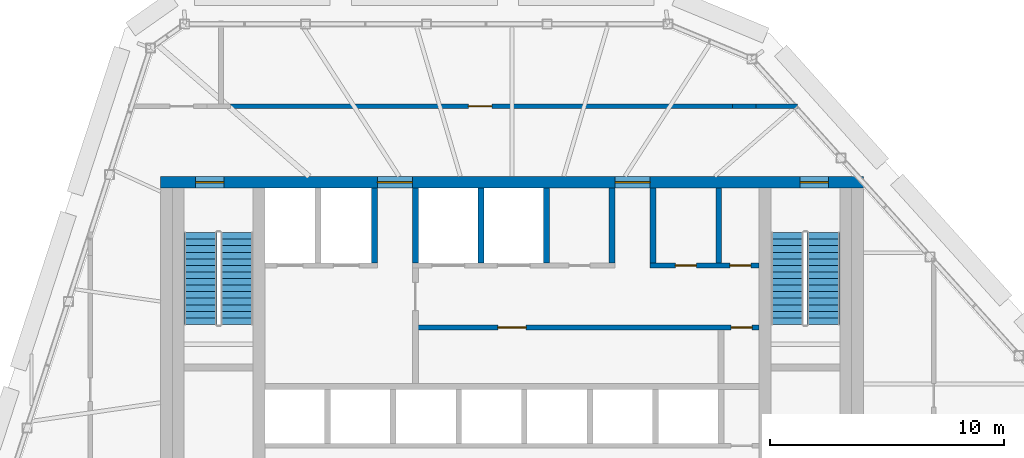
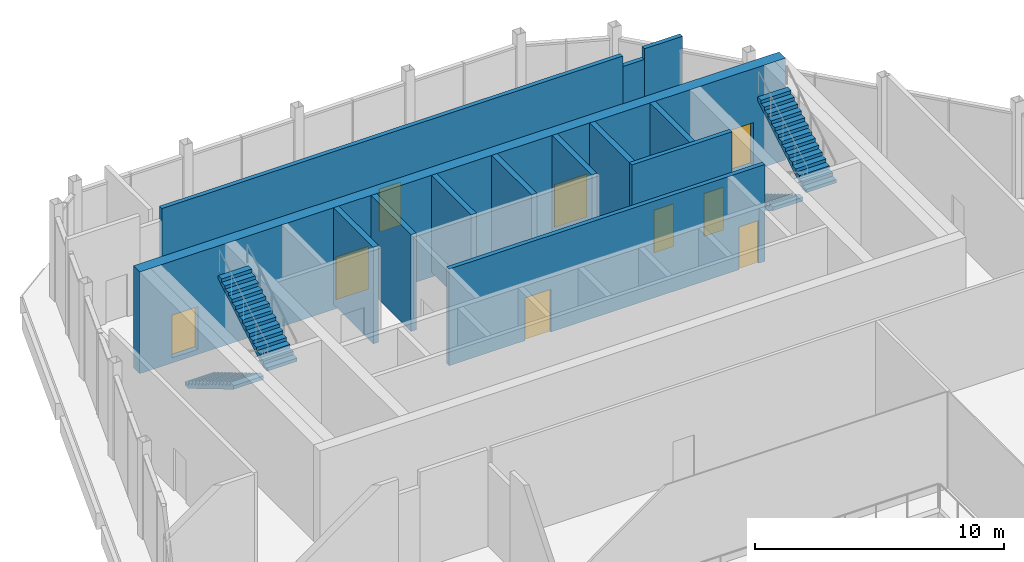
# One storey, part 10 of 12: 13 walls, 9 doors, 4 stair flights, 9 openings, 2 elements without a shape of their own.
"""IFC4 building model written with IfcOpenShell, lengths in metres."""

from ifc_helpers import new_model, si_unit, direction, frame, frame_2d, origin, place, context, subcontext, project, spatial, polyline, rectangle, outline, extrude, material, layer, layer_set, type_object, element, fill, aggregate, save


model = new_model("IFC4")

# Units and contexts
model_context = context("Model", 3, precision=1e-05, world=origin(), true_north=direction((0.0, 1.0)))
body_context = subcontext(model_context, "Body", "Model", "MODEL_VIEW")
ifc_project = project(units=[si_unit("LENGTHUNIT", "METRE"), si_unit("AREAUNIT", "SQUARE_METRE"), si_unit("VOLUMEUNIT", "CUBIC_METRE"), si_unit("PLANEANGLEUNIT", "RADIAN"), si_unit("MASSUNIT", "GRAM", prefix="KILO")], contexts=[model_context])

# Site, building, storey
site_placement = place(None, origin())
site = spatial("IfcSite", under=ifc_project, at=site_placement, CompositionType="ELEMENT")
building_placement = place(site_placement, origin())
building = spatial("IfcBuilding", under=site, at=building_placement, Name="Isthmus Gate Tower", CompositionType="ELEMENT")
storey_placement = place(building_placement, frame((0.0, 0.0, 301.10009765625)))
storey = spatial("IfcBuildingStorey", under=building, at=storey_placement, Name="C1", CompositionType="ELEMENT", Elevation=301.10009765625)

# Wall, opening, door
ifc_material_1 = material(Name="Concrete f'c 30 MPa", Category="concrete")
ifc_layer_1 = layer(ifc_material_1, 0.199951171875)
ifc_layer_set_1 = layer_set([ifc_layer_1], Name="Fire-rated block wall 200")
wall_type_1 = type_object("IfcWallType", Name="Fire-rated block wall 200", PredefinedType="PARTITIONING", material=ifc_layer_set_1)
wall_1_placement = place(storey_placement, frame((-12.013427734375, 18.0, 0.0), z_axis=(0.0, 0.0, 1.0), x_axis=(1.0, 0.0, 0.0)))
wall_1 = element("IfcWall", 1, at=wall_1_placement, inside=storey, type_object=wall_type_1, Name="Fire-rated wall", PredefinedType="PARTITIONING", context=body_context, shape_type="SweptSolid", body=[
    extrude(rectangle(XDim=21.419677734375, YDim=0.199951171875, at=frame_2d((10.7099609375, 0.0))), origin(), (0.0, 0.0, 1.0), 4.75),
])
opening_1_placement = place(wall_1_placement, frame((10.14990234375, 0.0, 0.0)))
opening_1 = element("IfcOpeningElement", 2, at=opening_1_placement, cuts=wall_1, Name="Opening DP77-02", PredefinedType="OPENING", context=body_context, shape_type="SweptSolid", body=[
    extrude(rectangle(XDim=1.0, YDim=2.10009765625, at=frame_2d((0.5, 1.050048828125))), frame((0.0, 0.10986328125, 0.0), z_axis=(0.0, -1.0, 0.0), x_axis=(1.0, 0.0, 0.0)), (0.0, 0.0, 1.0), 0.219970703125),
])
ifc_material_2 = material(Name="Steel fire door with intumescent seals", Category="steel")
door_type_1 = type_object("IfcDoorType", Name="Fire door 1000 x 2100", OperationType="SINGLE_SWING_LEFT", PredefinedType="DOOR", material=ifc_material_2)
door_1_placement = place(opening_1_placement, origin())
door_1 = element("IfcDoor", 3, at=door_1_placement, inside=storey, type_object=door_type_1, Name="Door DP77-02", OperationType="SINGLE_SWING_LEFT", OverallHeight=2.10009765625, OverallWidth=1.0, PredefinedType="DOOR", context=body_context, shape_type="SweptSolid", body=[
    extrude(rectangle(XDim=1.0, YDim=2.10009765625, at=frame_2d((0.5, 1.050048828125))), frame((0.0, 0.02490234375, 0.0), z_axis=(0.0, -1.0, 0.0), x_axis=(1.0, 0.0, 0.0)), (0.0, 0.0, 1.0), 0.050048828125),
])
fill(opening_1, door_1)

# Walls
wall_2_placement = place(storey_placement, frame((9.40625, 18.0, 0.0), z_axis=(0.0, 0.0, 1.0), x_axis=(1.0, 0.0, 0.0)))
element("IfcWall", 4, at=wall_2_placement, inside=storey, type_object=wall_type_1, Name="Fire-rated wall", PredefinedType="PARTITIONING", context=body_context, shape_type="SweptSolid", body=[
    extrude(rectangle(XDim=1.0, YDim=0.199951171875, at=frame_2d((0.5, 0.0))), origin(), (0.0, 0.0, 1.0), 4.22607421875),
])
wall_3_placement = place(storey_placement, frame((10.40625, 18.0, 0.0), z_axis=(0.0, 0.0, 1.0), x_axis=(1.0, 0.0, 0.0)))
element("IfcWall", 5, at=wall_3_placement, inside=storey, type_object=wall_type_1, Name="Fire-rated wall", PredefinedType="PARTITIONING", context=body_context, shape_type="SweptSolid", body=[
    extrude(rectangle(XDim=1.770751953125, YDim=0.199951171875, at=frame_2d((0.88525390625, 0.0))), origin(), (0.0, 0.0, 1.0), 4.75),
])

# Wall, openings, doors
ifc_material_3 = material(Name="Concrete f'c 50 MPa", Category="concrete")
ifc_layer_2 = layer(ifc_material_3, 0.5)
ifc_layer_set_2 = layer_set([ifc_layer_2], Name="RC CORE WALL 500 F'C 50")
wall_type_2 = type_object("IfcWallType", Name="RC CORE WALL 500 F'C 50", PredefinedType="SOLIDWALL", material=ifc_layer_set_2)
wall_4_placement = place(storey_placement, frame((-15.0, 14.75, -0.25), z_axis=(0.0, 0.0, 1.0), x_axis=(1.0, 0.0, 0.0)))
wall_4 = element("IfcWall", 6, at=wall_4_placement, inside=storey, type_object=wall_type_2, Name="str-corewall-C1-N", PredefinedType="SOLIDWALL", context=body_context, shape_type="SweptSolid", body=[
    extrude(rectangle(XDim=30.0, YDim=0.5, at=frame_2d((15.0, 0.0))), origin(), (0.0, 0.0, 1.0), 5.0),
])
opening_2_placement = place(wall_4_placement, frame((9.25, 0.0, 0.25)))
opening_2 = element("IfcOpeningElement", 7, at=opening_2_placement, cuts=wall_4, Name="Opening DC-A22-08", PredefinedType="OPENING", context=body_context, shape_type="SweptSolid", body=[
    extrude(rectangle(XDim=1.5, YDim=2.10009765625, at=frame_2d((0.75, 1.050048828125))), frame((0.0, 0.260009765625, 0.0), z_axis=(0.0, -1.0, 0.0), x_axis=(1.0, 0.0, 0.0)), (0.0, 0.0, 1.0), 0.52001953125),
])
opening_3_placement = place(wall_4_placement, frame((19.39990234375, 0.0, 0.25)))
opening_3 = element("IfcOpeningElement", 8, at=opening_3_placement, cuts=wall_4, Name="Opening DC-A22-09", PredefinedType="OPENING", context=body_context, shape_type="SweptSolid", body=[
    extrude(rectangle(XDim=1.5, YDim=2.10009765625, at=frame_2d((0.75, 1.050048828125))), frame((0.0, 0.260009765625, 0.0), z_axis=(0.0, -1.0, 0.0), x_axis=(1.0, 0.0, 0.0)), (0.0, 0.0, 1.0), 0.52001953125),
])
opening_4_placement = place(wall_4_placement, frame((1.5, 0.0, 0.25)))
opening_4 = element("IfcOpeningElement", 9, at=opening_4_placement, cuts=wall_4, Name="Opening DC-A22-10", PredefinedType="OPENING", context=body_context, shape_type="SweptSolid", body=[
    extrude(rectangle(XDim=1.199951171875, YDim=2.10009765625, at=frame_2d((0.60009765625, 1.050048828125))), frame((0.0, 0.260009765625, 0.0), z_axis=(0.0, -1.0, 0.0), x_axis=(1.0, 0.0, 0.0)), (0.0, 0.0, 1.0), 0.52001953125),
])
opening_5_placement = place(wall_4_placement, frame((27.300048828125, 0.0, 0.25)))
opening_5 = element("IfcOpeningElement", 10, at=opening_5_placement, cuts=wall_4, Name="Opening DC-A22-11", PredefinedType="OPENING", context=body_context, shape_type="SweptSolid", body=[
    extrude(rectangle(XDim=1.199951171875, YDim=2.10009765625, at=frame_2d((0.60009765625, 1.050048828125))), frame((0.0, 0.260009765625, 0.0), z_axis=(0.0, -1.0, 0.0), x_axis=(1.0, 0.0, 0.0)), (0.0, 0.0, 1.0), 0.52001953125),
])
ifc_material_4 = material(Name="Steel door leaf, fire-rated", Category="steel")
door_type_2 = type_object("IfcDoorType", Name="LOBBY FIRE DOOR 1500 X 2100 60 MIN", OperationType="DOUBLE_DOOR_SINGLE_SWING", PredefinedType="DOOR", material=ifc_material_4)
door_2_placement = place(opening_3_placement, origin())
door_2 = element("IfcDoor", 11, at=door_2_placement, inside=storey, type_object=door_type_2, Name="Lobby Door PN-E", OperationType="DOUBLE_DOOR_SINGLE_SWING", OverallHeight=2.10009765625, OverallWidth=1.5, PredefinedType="DOOR", context=body_context, shape_type="SweptSolid", body=[
    extrude(rectangle(XDim=1.5, YDim=2.10009765625, at=frame_2d((0.75, 1.050048828125))), frame((0.0, 0.02490234375, 0.0), z_axis=(0.0, -1.0, 0.0), x_axis=(1.0, 0.0, 0.0)), (0.0, 0.0, 1.0), 0.050048828125),
])
fill(opening_3, door_2)
ifc_material_5 = material(Name="Steel door leaf, fire-rated", Category="steel")
door_type_3 = type_object("IfcDoorType", Name="LOBBY FIRE DOOR 1500 X 2100 90 MIN", OperationType="DOUBLE_DOOR_SINGLE_SWING", PredefinedType="DOOR", material=ifc_material_5)
door_3_placement = place(opening_2_placement, origin())
door_3 = element("IfcDoor", 12, at=door_3_placement, inside=storey, type_object=door_type_3, Name="Lobby Door PN-W", OperationType="DOUBLE_DOOR_SINGLE_SWING", OverallHeight=2.10009765625, OverallWidth=1.5, PredefinedType="DOOR", context=body_context, shape_type="SweptSolid", body=[
    extrude(rectangle(XDim=1.5, YDim=2.10009765625, at=frame_2d((0.75, 1.050048828125))), frame((0.0, 0.02490234375, 0.0), z_axis=(0.0, -1.0, 0.0), x_axis=(1.0, 0.0, 0.0)), (0.0, 0.0, 1.0), 0.050048828125),
])
fill(opening_2, door_3)
ifc_material_6 = material(Name="Steel door leaf, fire-rated", Category="steel")
door_type_4 = type_object("IfcDoorType", Name="STAIR FIRE DOOR 1200 X 2100 90 MIN", OperationType="SINGLE_SWING_LEFT", PredefinedType="DOOR", material=ifc_material_6)
door_4_placement = place(opening_4_placement, origin())
door_4 = element("IfcDoor", 13, at=door_4_placement, inside=storey, type_object=door_type_4, Name="Exit Stair 1 Door", OperationType="SINGLE_SWING_RIGHT", OverallHeight=2.10009765625, OverallWidth=1.199951171875, PredefinedType="DOOR", context=body_context, shape_type="SweptSolid", body=[
    extrude(rectangle(XDim=1.199951171875, YDim=2.10009765625, at=frame_2d((0.60009765625, 1.050048828125))), frame((0.0, 0.02490234375, 0.0), z_axis=(0.0, -1.0, 0.0), x_axis=(1.0, 0.0, 0.0)), (0.0, 0.0, 1.0), 0.050048828125),
])
fill(opening_4, door_4)
door_5_placement = place(opening_5_placement, origin())
door_5 = element("IfcDoor", 14, at=door_5_placement, inside=storey, type_object=door_type_4, Name="Exit Stair 2 Door", OperationType="SINGLE_SWING_LEFT", OverallHeight=2.10009765625, OverallWidth=1.199951171875, PredefinedType="DOOR", context=body_context, shape_type="SweptSolid", body=[
    extrude(rectangle(XDim=1.199951171875, YDim=2.10009765625, at=frame_2d((0.60009765625, 1.050048828125))), frame((0.0, 0.02490234375, 0.0), z_axis=(0.0, -1.0, 0.0), x_axis=(1.0, 0.0, 0.0)), (0.0, 0.0, 1.0), 0.050048828125),
])
fill(opening_5, door_5)

ifc_material_7 = material(Name="Fire-rated blockwork masonry, 15 MPa", Category="masonry")
ifc_layer_3 = layer(ifc_material_7, 0.199951171875)
ifc_layer_set_3 = layer_set([ifc_layer_3], Name="SHAFT FRONT WALL 200 120 MIN")
wall_type_3 = type_object("IfcWallType", Name="SHAFT FRONT WALL 200 120 MIN", PredefinedType="PARTITIONING", material=ifc_layer_set_3)
wall_5_placement = place(storey_placement, frame((-4.125, 8.550048828125, 0.0), z_axis=(0.0, 0.0, 1.0), x_axis=(1.0, 0.0, 0.0)))
wall_5 = element("IfcWall", 15, at=wall_5_placement, inside=storey, type_object=wall_type_3, Name="C1 SHAFT FRONT WALL 200 120 MIN", PredefinedType="PARTITIONING", context=body_context, shape_type="SweptSolid", body=[
    extrude(rectangle(XDim=14.675048828125, YDim=0.199951171875, at=frame_2d((7.33740234375, 0.0))), origin(), (0.0, 0.0, 1.0), 4.75),
])
opening_6_placement = place(wall_5_placement, frame((3.52490234375, 0.0, 0.0)))
opening_6 = element("IfcOpeningElement", 16, at=opening_6_placement, cuts=wall_5, Name="Opening DC-A22-03", PredefinedType="OPENING", context=body_context, shape_type="SweptSolid", body=[
    extrude(rectangle(XDim=1.199951171875, YDim=2.10009765625, at=frame_2d((0.60009765625, 1.050048828125))), frame((0.0, 0.10986328125, 0.0), z_axis=(0.0, -1.0, 0.0), x_axis=(1.0, 0.0, 0.0)), (0.0, 0.0, 1.0), 0.219970703125),
])
opening_7_placement = place(wall_5_placement, frame((13.47509765625, 0.0, 0.0)))
opening_7 = element("IfcOpeningElement", 17, at=opening_7_placement, cuts=wall_5, Name="Opening DC-A22-04", PredefinedType="OPENING", context=body_context, shape_type="SweptSolid", body=[
    extrude(rectangle(XDim=0.89990234375, YDim=2.10009765625, at=frame_2d((0.449951171875, 1.050048828125))), frame((0.0, 0.10986328125, 0.0), z_axis=(0.0, -1.0, 0.0), x_axis=(1.0, 0.0, 0.0)), (0.0, 0.0, 1.0), 0.219970703125),
])
ifc_material_8 = material(Name="Steel door leaf, fire-rated", Category="steel")
door_type_5 = type_object("IfcDoorType", Name="FIRE DOOR 1200 X 2100 60 MIN", OperationType="SINGLE_SWING_LEFT", PredefinedType="DOOR", material=ifc_material_8)
door_6_placement = place(opening_6_placement, origin())
door_6 = element("IfcDoor", 18, at=door_6_placement, inside=storey, type_object=door_type_5, Name="Plant Room Door", OperationType="SINGLE_SWING_LEFT", OverallHeight=2.10009765625, OverallWidth=1.199951171875, PredefinedType="DOOR", context=body_context, shape_type="SweptSolid", body=[
    extrude(rectangle(XDim=1.199951171875, YDim=2.10009765625, at=frame_2d((0.60009765625, 1.050048828125))), frame((0.0, 0.02490234375, 0.0), z_axis=(0.0, -1.0, 0.0), x_axis=(1.0, 0.0, 0.0)), (0.0, 0.0, 1.0), 0.050048828125),
])
fill(opening_6, door_6)
ifc_material_9 = material(Name="Steel door leaf, fire-rated", Category="steel")
door_type_6 = type_object("IfcDoorType", Name="RISER FIRE DOOR 900 X 2100 90 MIN", OperationType="SINGLE_SWING_LEFT", PredefinedType="DOOR", material=ifc_material_9)
door_7_placement = place(opening_7_placement, origin())
door_7 = element("IfcDoor", 19, at=door_7_placement, inside=storey, type_object=door_type_6, Name="Riser Door", OperationType="SINGLE_SWING_RIGHT", OverallHeight=2.10009765625, OverallWidth=0.89990234375, PredefinedType="DOOR", context=body_context, shape_type="SweptSolid", body=[
    extrude(rectangle(XDim=0.89990234375, YDim=2.10009765625, at=frame_2d((0.449951171875, 1.050048828125))), frame((0.0, 0.02490234375, 0.0), z_axis=(0.0, -1.0, 0.0), x_axis=(1.0, 0.0, 0.0)), (0.0, 0.0, 1.0), 0.050048828125),
])
fill(opening_7, door_7)

wall_6_placement = place(storey_placement, frame((5.89990234375, 11.199951171875, 0.0), z_axis=(0.0, 0.0, 1.0), x_axis=(1.0, 0.0, 0.0)))
wall_6 = element("IfcWall", 20, at=wall_6_placement, inside=storey, type_object=wall_type_3, Name="C1 SHAFT FRONT WALL 200 120 MIN", PredefinedType="PARTITIONING", context=body_context, shape_type="SweptSolid", body=[
    extrude(rectangle(XDim=4.650146484375, YDim=0.199951171875, at=frame_2d((2.3251953125, 0.0))), origin(), (0.0, 0.0, 1.0), 4.75),
])
opening_8_placement = place(wall_6_placement, frame((1.074951171875, 0.0, 0.0)))
opening_8 = element("IfcOpeningElement", 21, at=opening_8_placement, cuts=wall_6, Name="Opening DC-A22-06", PredefinedType="OPENING", context=body_context, shape_type="SweptSolid", body=[
    extrude(rectangle(XDim=0.89990234375, YDim=2.10009765625, at=frame_2d((0.449951171875, 1.050048828125))), frame((0.0, 0.10986328125, 0.0), z_axis=(0.0, -1.0, 0.0), x_axis=(1.0, 0.0, 0.0)), (0.0, 0.0, 1.0), 0.219970703125),
])
opening_9_placement = place(wall_6_placement, frame((3.39990234375, 0.0, 0.0)))
opening_9 = element("IfcOpeningElement", 22, at=opening_9_placement, cuts=wall_6, Name="Opening DC-A22-07", PredefinedType="OPENING", context=body_context, shape_type="SweptSolid", body=[
    extrude(rectangle(XDim=0.89990234375, YDim=2.10009765625, at=frame_2d((0.449951171875, 1.050048828125))), frame((0.0, 0.10986328125, 0.0), z_axis=(0.0, -1.0, 0.0), x_axis=(1.0, 0.0, 0.0)), (0.0, 0.0, 1.0), 0.219970703125),
])
ifc_material_10 = material(Name="Steel door leaf, fire-rated", Category="steel")
door_type_7 = type_object("IfcDoorType", Name="FIRE DOOR 900 X 2100 60 MIN", OperationType="SINGLE_SWING_LEFT", PredefinedType="DOOR", material=ifc_material_10)
door_8_placement = place(opening_8_placement, origin())
door_8 = element("IfcDoor", 23, at=door_8_placement, inside=storey, type_object=door_type_7, Name="Electrical Room Door", OperationType="SINGLE_SWING_RIGHT", OverallHeight=2.10009765625, OverallWidth=0.89990234375, PredefinedType="DOOR", context=body_context, shape_type="SweptSolid", body=[
    extrude(rectangle(XDim=0.89990234375, YDim=2.10009765625, at=frame_2d((0.449951171875, 1.050048828125))), frame((0.0, 0.02490234375, 0.0), z_axis=(0.0, -1.0, 0.0), x_axis=(1.0, 0.0, 0.0)), (0.0, 0.0, 1.0), 0.050048828125),
])
fill(opening_8, door_8)
door_9_placement = place(opening_9_placement, origin())
door_9 = element("IfcDoor", 24, at=door_9_placement, inside=storey, type_object=door_type_6, Name="Riser Door", OperationType="SINGLE_SWING_LEFT", OverallHeight=2.10009765625, OverallWidth=0.89990234375, PredefinedType="DOOR", context=body_context, shape_type="SweptSolid", body=[
    extrude(rectangle(XDim=0.89990234375, YDim=2.10009765625, at=frame_2d((0.449951171875, 1.050048828125))), frame((0.0, 0.02490234375, 0.0), z_axis=(0.0, -1.0, 0.0), x_axis=(1.0, 0.0, 0.0)), (0.0, 0.0, 1.0), 0.050048828125),
])
fill(opening_9, door_9)

# Walls
ifc_material_11 = material(Name="Fire-rated blockwork masonry, 15 MPa", Category="masonry")
ifc_layer_4 = layer(ifc_material_11, 0.25)
ifc_layer_set_4 = layer_set([ifc_layer_4], Name="SHAFT WALL 250 120 MIN")
wall_type_4 = type_object("IfcWallType", Name="SHAFT WALL 250 120 MIN", PredefinedType="PARTITIONING", material=ifc_layer_set_4)
for number, where, z_axis, x_axis, name in (
    (25, (-5.875, 11.300048828125, 0.0), (0.0, 0.0, 1.0), (0.0, 1.0, 0.0), "C1 SHAFT WALL 250 120 MIN"),
    (26, (-4.125, 11.300048828125, 0.0), (0.0, 0.0, 1.0), (0.0, 1.0, 0.0), "C1 SHAFT WALL 250 120 MIN"),
    (27, (-1.324951171875, 11.300048828125, 0.0), (0.0, 0.0, 1.0), (0.0, 1.0, 0.0), "C1 SHAFT WALL 250 120 MIN"),
    (28, (1.47509765625, 11.300048828125, 0.0), (0.0, 0.0, 1.0), (0.0, 1.0, 0.0), "C1 SHAFT WALL 250 120 MIN"),
    (29, (4.27490234375, 11.300048828125, 0.0), (0.0, 0.0, 1.0), (0.0, 1.0, 0.0), "C1 SHAFT WALL 250 120 MIN"),
    (30, (6.02490234375, 11.300048828125, 0.0), (0.0, 0.0, 1.0), (0.0, 1.0, 0.0), "C1 SHAFT WALL 250 120 MIN"),
    (31, (8.824951171875, 11.300048828125, 0.0), (0.0, 0.0, 1.0), (0.0, 1.0, 0.0), "C1 SHAFT WALL 250 120 MIN"),
):
    element("IfcWall", number, at=place(storey_placement, frame(where, z_axis=z_axis, x_axis=x_axis)), inside=storey, type_object=wall_type_4, Name=name, PredefinedType="PARTITIONING", context=body_context, shape_type="SweptSolid", body=[
        extrude(rectangle(XDim=3.199951171875, YDim=0.25, at=frame_2d((1.60009765625, 0.0))), origin(), (0.0, 0.0, 1.0), 4.75),
    ])

# Stair, stair flights
ifc_material_12 = material(Name="Concrete f'c 40 MPa", Category="concrete")
stair_type = type_object("IfcStairType", Name="CORE STAIR 30 RISERS", PredefinedType="HALF_TURN_STAIR", material=ifc_material_12)
stair_1_placement = place(storey_placement, origin())
stair_1 = element("IfcStair", 32, at=stair_1_placement, inside=storey, type_object=stair_type, Name="C1 Exit Stair 1", PredefinedType="HALF_TURN_STAIR")
ifc_material_13 = material(Name="Concrete f'c 40 MPa", Category="concrete")
stair_flight_type = type_object("IfcStairFlightType", Name="STAIR FLIGHT RC 1400", PredefinedType="STRAIGHT", material=ifc_material_13)
stair_flight_1_placement = place(storey_placement, frame((-13.300048828125, 12.60009765625, 0.0), z_axis=(0.0, 0.0, 1.0), x_axis=(0.0, -1.0, 0.0)))
stair_flight_1 = element("IfcStairFlight", 33, at=stair_flight_1_placement, type_object=stair_flight_type, Name="ST1 flight 1", NumberOfRisers=15, NumberOfTreads=14, PredefinedType="STRAIGHT", RiserHeight=0.166666667, TreadLength=0.28, context=body_context, shape_type="SweptSolid", body=[
    extrude(outline(polyline([(0.0, 0.0), (0.0, 0.166748046875), (0.280029296875, 0.166748046875), (0.280029296875, 0.333251953125), (0.56005859375, 0.333251953125), (0.56005859375, 0.5), (0.840087890625, 0.5), (0.840087890625, 0.666748046875), (1.1201171875, 0.666748046875), (1.1201171875, 0.833251953125), (1.39990234375, 0.833251953125), (1.39990234375, 1.0), (1.679931640625, 1.0), (1.679931640625, 1.166748046875), (1.9599609375, 1.166748046875), (1.9599609375, 1.333251953125), (2.239990234375, 1.333251953125), (2.239990234375, 1.5), (2.52001953125, 1.5), (2.52001953125, 1.666748046875), (2.800048828125, 1.666748046875), (2.800048828125, 1.833251953125), (3.080078125, 1.833251953125), (3.080078125, 2.0), (3.360107421875, 2.0), (3.360107421875, 2.166748046875), (3.639892578125, 2.166748046875), (3.639892578125, 2.333251953125), (3.919921875, 2.333251953125), (3.919921875, 2.5), (3.919921875, 2.158935546875), (0.29296875, 0.0), (0.0, 0.0)])), frame((0.0, 0.699951171875, 0.0), z_axis=(0.0, -1.0, 0.0), x_axis=(1.0, 0.0, 0.0)), (0.0, 0.0, 1.0), 1.39990234375),
])
stair_flight_2_placement = place(storey_placement, frame((-11.75, 8.679931640625, 2.5), z_axis=(0.0, 0.0, 1.0), x_axis=(0.0, 1.0, 0.0)))
stair_flight_2 = element("IfcStairFlight", 34, at=stair_flight_2_placement, type_object=stair_flight_type, Name="ST1 flight 2", NumberOfRisers=15, NumberOfTreads=14, PredefinedType="STRAIGHT", RiserHeight=0.166666667, TreadLength=0.28, context=body_context, shape_type="SweptSolid", body=[
    extrude(outline(polyline([(0.0, 0.0), (0.0, 0.166748046875), (0.280029296875, 0.166748046875), (0.280029296875, 0.333251953125), (0.56005859375, 0.333251953125), (0.56005859375, 0.5), (0.840087890625, 0.5), (0.840087890625, 0.666748046875), (1.1201171875, 0.666748046875), (1.1201171875, 0.833251953125), (1.39990234375, 0.833251953125), (1.39990234375, 1.0), (1.679931640625, 1.0), (1.679931640625, 1.166748046875), (1.9599609375, 1.166748046875), (1.9599609375, 1.333251953125), (2.239990234375, 1.333251953125), (2.239990234375, 1.5), (2.52001953125, 1.5), (2.52001953125, 1.666748046875), (2.800048828125, 1.666748046875), (2.800048828125, 1.833251953125), (3.080078125, 1.833251953125), (3.080078125, 2.0), (3.360107421875, 2.0), (3.360107421875, 2.166748046875), (3.639892578125, 2.166748046875), (3.639892578125, 2.333251953125), (3.919921875, 2.333251953125), (3.919921875, 2.5), (3.919921875, 2.158935546875), (0.29296875, 0.0), (0.0, 0.0)])), frame((0.0, 0.699951171875, 0.0), z_axis=(0.0, -1.0, 0.0), x_axis=(1.0, 0.0, 0.0)), (0.0, 0.0, 1.0), 1.39990234375),
])
aggregate(stair_1, [stair_flight_1, stair_flight_2])

stair_2_placement = place(storey_placement, origin())
stair_2 = element("IfcStair", 35, at=stair_2_placement, inside=storey, type_object=stair_type, Name="C1 Exit Stair 2", PredefinedType="HALF_TURN_STAIR")
stair_flight_3_placement = place(storey_placement, frame((11.75, 12.60009765625, 0.0), z_axis=(0.0, 0.0, 1.0), x_axis=(0.0, -1.0, 0.0)))
stair_flight_3 = element("IfcStairFlight", 36, at=stair_flight_3_placement, type_object=stair_flight_type, Name="ST2 flight 1", NumberOfRisers=15, NumberOfTreads=14, PredefinedType="STRAIGHT", RiserHeight=0.166666667, TreadLength=0.28, context=body_context, shape_type="SweptSolid", body=[
    extrude(outline(polyline([(0.0, 0.0), (0.0, 0.166748046875), (0.280029296875, 0.166748046875), (0.280029296875, 0.333251953125), (0.56005859375, 0.333251953125), (0.56005859375, 0.5), (0.840087890625, 0.5), (0.840087890625, 0.666748046875), (1.1201171875, 0.666748046875), (1.1201171875, 0.833251953125), (1.39990234375, 0.833251953125), (1.39990234375, 1.0), (1.679931640625, 1.0), (1.679931640625, 1.166748046875), (1.9599609375, 1.166748046875), (1.9599609375, 1.333251953125), (2.239990234375, 1.333251953125), (2.239990234375, 1.5), (2.52001953125, 1.5), (2.52001953125, 1.666748046875), (2.800048828125, 1.666748046875), (2.800048828125, 1.833251953125), (3.080078125, 1.833251953125), (3.080078125, 2.0), (3.360107421875, 2.0), (3.360107421875, 2.166748046875), (3.639892578125, 2.166748046875), (3.639892578125, 2.333251953125), (3.919921875, 2.333251953125), (3.919921875, 2.5), (3.919921875, 2.158935546875), (0.29296875, 0.0), (0.0, 0.0)])), frame((0.0, 0.699951171875, 0.0), z_axis=(0.0, -1.0, 0.0), x_axis=(1.0, 0.0, 0.0)), (0.0, 0.0, 1.0), 1.39990234375),
])
stair_flight_4_placement = place(storey_placement, frame((13.300048828125, 8.679931640625, 2.5), z_axis=(0.0, 0.0, 1.0), x_axis=(0.0, 1.0, 0.0)))
stair_flight_4 = element("IfcStairFlight", 37, at=stair_flight_4_placement, type_object=stair_flight_type, Name="ST2 flight 2", NumberOfRisers=15, NumberOfTreads=14, PredefinedType="STRAIGHT", RiserHeight=0.166666667, TreadLength=0.28, context=body_context, shape_type="SweptSolid", body=[
    extrude(outline(polyline([(0.0, 0.0), (0.0, 0.166748046875), (0.280029296875, 0.166748046875), (0.280029296875, 0.333251953125), (0.56005859375, 0.333251953125), (0.56005859375, 0.5), (0.840087890625, 0.5), (0.840087890625, 0.666748046875), (1.1201171875, 0.666748046875), (1.1201171875, 0.833251953125), (1.39990234375, 0.833251953125), (1.39990234375, 1.0), (1.679931640625, 1.0), (1.679931640625, 1.166748046875), (1.9599609375, 1.166748046875), (1.9599609375, 1.333251953125), (2.239990234375, 1.333251953125), (2.239990234375, 1.5), (2.52001953125, 1.5), (2.52001953125, 1.666748046875), (2.800048828125, 1.666748046875), (2.800048828125, 1.833251953125), (3.080078125, 1.833251953125), (3.080078125, 2.0), (3.360107421875, 2.0), (3.360107421875, 2.166748046875), (3.639892578125, 2.166748046875), (3.639892578125, 2.333251953125), (3.919921875, 2.333251953125), (3.919921875, 2.5), (3.919921875, 2.158935546875), (0.29296875, 0.0), (0.0, 0.0)])), frame((0.0, 0.699951171875, 0.0), z_axis=(0.0, -1.0, 0.0), x_axis=(1.0, 0.0, 0.0)), (0.0, 0.0, 1.0), 1.39990234375),
])
aggregate(stair_2, [stair_flight_3, stair_flight_4])

save(model, "model.ifc")
